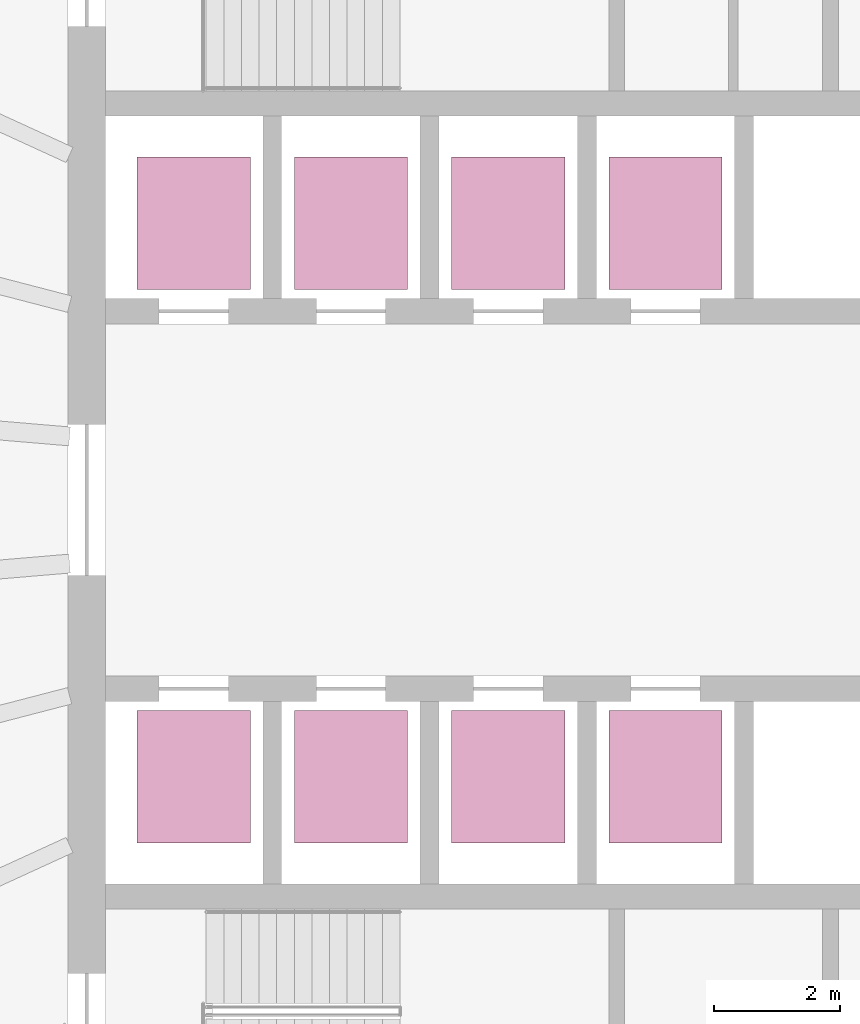
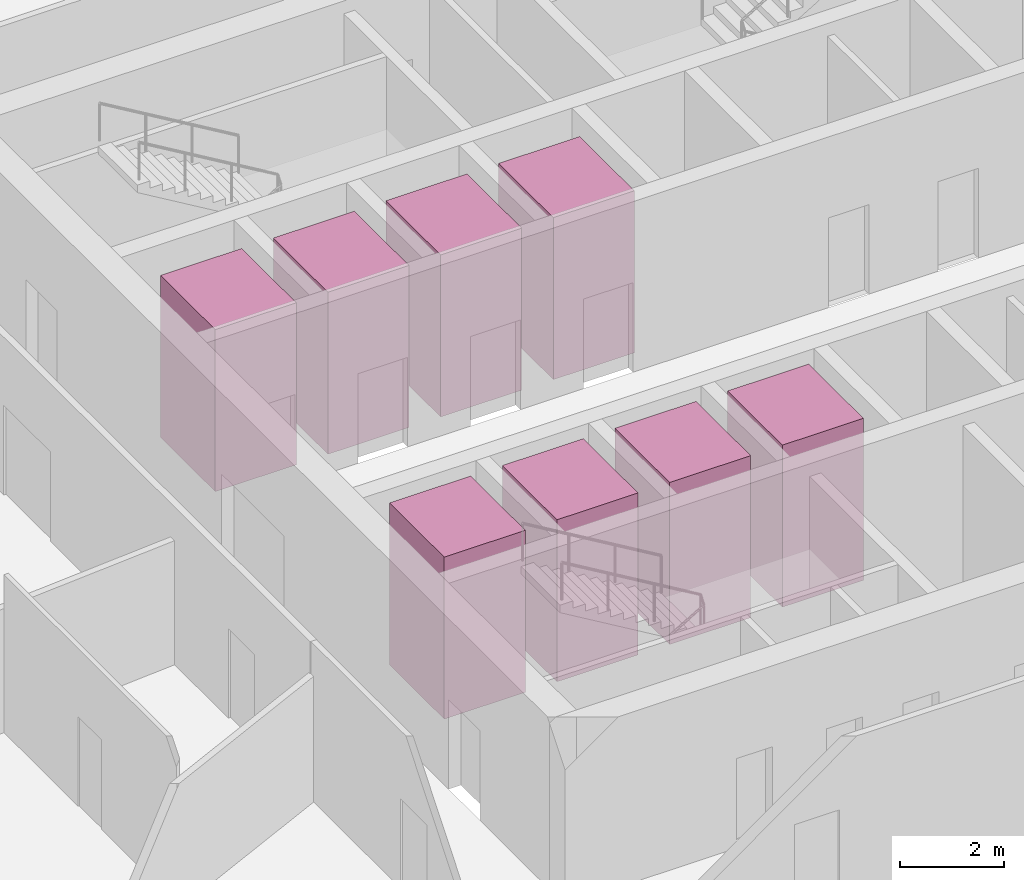
# One storey, part 11 of 11: 8 transport elements.
"""IFC4 building model written with IfcOpenShell, lengths in metres."""

from ifc_helpers import new_model, si_unit, direction, frame, origin, origin_2d, place, context, subcontext, project, spatial, rectangle, extrude, material, type_object, element, save


model = new_model("IFC4")

# Units and contexts
model_context = context("Model", 3, precision=1e-05, world=origin(), true_north=direction((0.0, 1.0)))
body_context = subcontext(model_context, "Body", "Model", "MODEL_VIEW")
ifc_project = project(units=[si_unit("LENGTHUNIT", "METRE"), si_unit("AREAUNIT", "SQUARE_METRE"), si_unit("VOLUMEUNIT", "CUBIC_METRE"), si_unit("PLANEANGLEUNIT", "RADIAN"), si_unit("MASSUNIT", "GRAM", prefix="KILO")], contexts=[model_context])

# Site, building, storey
site_placement = place(None, origin())
site = spatial("IfcSite", under=ifc_project, at=site_placement, CompositionType="ELEMENT")
building_placement = place(site_placement, origin())
building = spatial("IfcBuilding", under=site, at=building_placement, Name="Halqa Exchange Tower", CompositionType="ELEMENT")
storey_placement = place(building_placement, frame((0.0, 0.0, 234.89990234375)))
storey = spatial("IfcBuildingStorey", under=building, at=storey_placement, Name="L54", CompositionType="ELEMENT", Elevation=234.89990234375)

# Transport elements
ifc_material = material(Name="Stainless steel", Category="steel")
transport_element_type_1 = type_object("IfcTransportElementType", Name="High-rise passenger lift 1800 x 2100", PredefinedType="ELEVATOR", material=ifc_material)
for number, where, z_axis, x_axis, name in (
    (1, (-10.0, 4.39990234375, 0.0), (0.0, 0.0, 1.0), (1.0, 0.0, 0.0), "High-rise passenger lift HR1"),
    (2, (-7.5, 4.39990234375, 0.0), (0.0, 0.0, 1.0), (1.0, 0.0, 0.0), "High-rise passenger lift HR2"),
    (3, (-10.0, -4.39990234375, 0.0), (0.0, 0.0, 1.0), (1.0, 0.0, 0.0), "High-rise passenger lift HR3"),
    (4, (-7.5, -4.39990234375, 0.0), (0.0, 0.0, 1.0), (1.0, 0.0, 0.0), "High-rise passenger lift HR4"),
):
    element("IfcTransportElement", number, at=place(storey_placement, frame(where, z_axis=z_axis, x_axis=x_axis)), inside=storey, type_object=transport_element_type_1, Name=name, PredefinedType="ELEVATOR", context=body_context, shape_type="SweptSolid", body=[
        extrude(rectangle(XDim=1.800048828125, YDim=2.10009765625, at=origin_2d()), origin(), (0.0, 0.0, 1.0), 3.800048828125),
    ])
transport_element_type_2 = type_object("IfcTransportElementType", Name="Mid-rise passenger lift 1800 x 2100", PredefinedType="ELEVATOR", material=ifc_material)
for number, where, z_axis, x_axis, name in (
    (5, (-5.0, 4.39990234375, 0.0), (0.0, 0.0, 1.0), (1.0, 0.0, 0.0), "Mid-rise passenger lift MR1"),
    (6, (-2.5, 4.39990234375, 0.0), (0.0, 0.0, 1.0), (1.0, 0.0, 0.0), "Mid-rise passenger lift MR2"),
    (7, (-5.0, -4.39990234375, 0.0), (0.0, 0.0, 1.0), (1.0, 0.0, 0.0), "Mid-rise passenger lift MR3"),
    (8, (-2.5, -4.39990234375, 0.0), (0.0, 0.0, 1.0), (1.0, 0.0, 0.0), "Mid-rise passenger lift MR4"),
):
    element("IfcTransportElement", number, at=place(storey_placement, frame(where, z_axis=z_axis, x_axis=x_axis)), inside=storey, type_object=transport_element_type_2, Name=name, PredefinedType="ELEVATOR", context=body_context, shape_type="SweptSolid", body=[
        extrude(rectangle(XDim=1.800048828125, YDim=2.10009765625, at=origin_2d()), origin(), (0.0, 0.0, 1.0), 3.800048828125),
    ])

save(model, "model.ifc")
